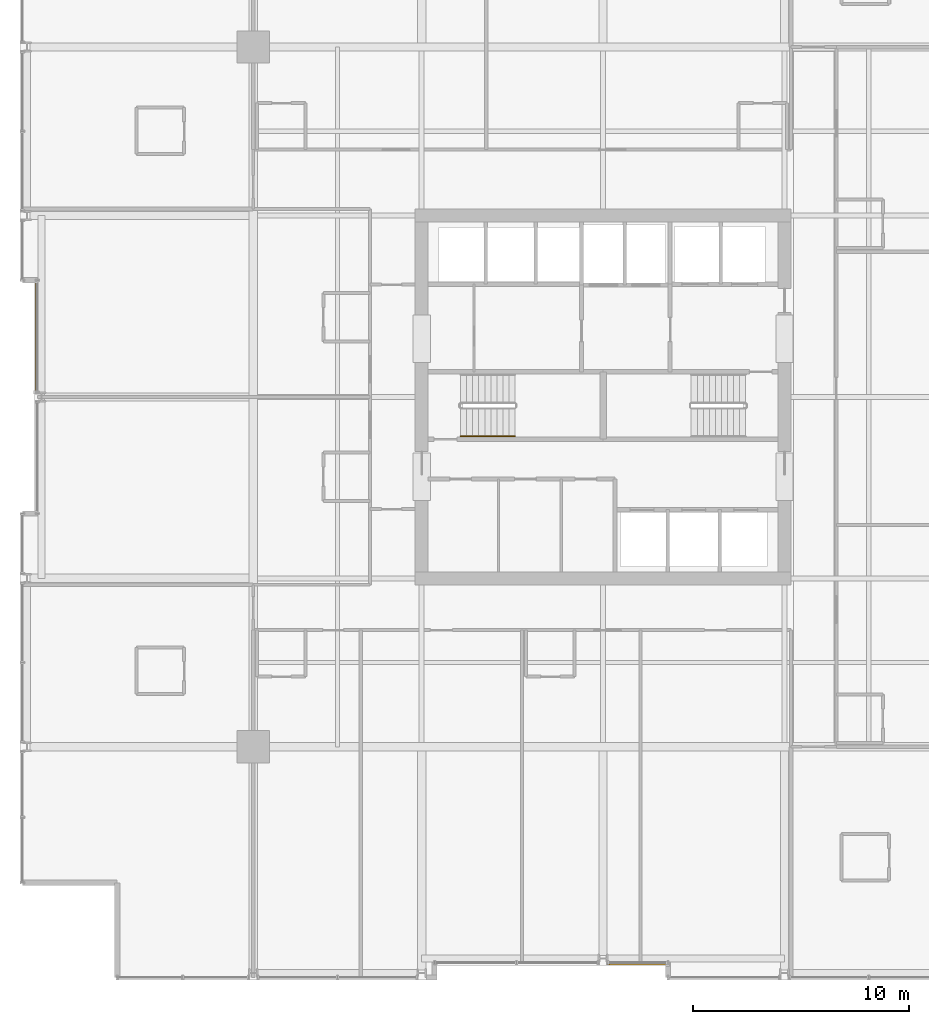
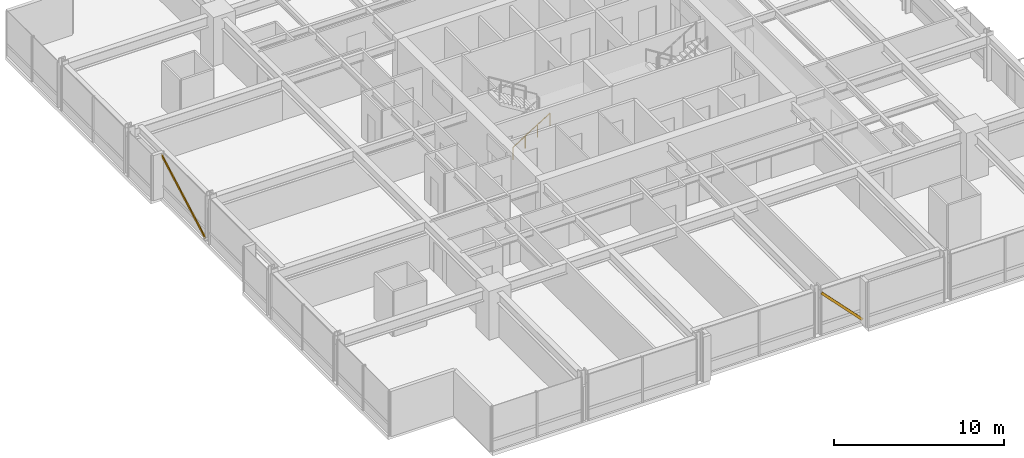
# One storey, part 32 of 34: 2 shading devices, 1 railing.
"""IFC4 building model written with IfcOpenShell, lengths in metres."""

from ifc_helpers import new_model, si_unit, direction, frame, origin, origin_2d, place, context, subcontext, project, spatial, hollow_rectangle, circle, extrude, material, material_profile, profile_set, type_object, element, save


model = new_model("IFC4")

# Units and contexts
model_context = context("Model", 3, precision=1e-05, world=origin(), true_north=direction((0.0, 1.0)))
body_context = subcontext(model_context, "Body", "Model", "MODEL_VIEW")
ifc_project = project(units=[si_unit("LENGTHUNIT", "METRE"), si_unit("AREAUNIT", "SQUARE_METRE"), si_unit("VOLUMEUNIT", "CUBIC_METRE"), si_unit("PLANEANGLEUNIT", "RADIAN"), si_unit("MASSUNIT", "GRAM", prefix="KILO")], contexts=[model_context])

# Site, building, storey
site_placement = place(None, origin())
site = spatial("IfcSite", under=ifc_project, at=site_placement, CompositionType="ELEMENT")
building_placement = place(site_placement, origin())
building = spatial("IfcBuilding", under=site, at=building_placement, Name="Drelvath Grand Hotel", CompositionType="ELEMENT")
storey_placement = place(building_placement, frame((0.0, 0.0, 116.300048828125)))
storey = spatial("IfcBuildingStorey", under=building, at=storey_placement, Name="L29", CompositionType="ELEMENT", Elevation=116.300048828125)

# Railing
ifc_material_1 = material(Name="Painted Steel S275", Category="steel")
railing_type = type_object("IfcRailingType", Name="Core Stair Wall Handrail 900", PredefinedType="HANDRAIL", material=ifc_material_1)
railing_placement = place(storey_placement, frame((-6.60009765625, 25.169921875, 0.175048828125)))
element("IfcRailing", 1, at=railing_placement, inside=storey, type_object=railing_type, Name="L29 ST-1 stair handrail 1", PredefinedType="HANDRAIL", context=body_context, shape_type="SweptSolid", body=[
    extrude(circle(Radius=0.02392578125, at=origin_2d()), frame((0.0, 0.0, 0.8759765625), z_axis=(0.848007534815, 0.0, 0.529984170421), x_axis=(0.0, 1.0, 0.0)), (0.0, 0.0, 1.0), 2.9716796875),
    extrude(circle(Radius=0.02099609375, at=origin_2d()), origin(), (0.0, 0.0, 1.0), 0.851806640625),
    extrude(circle(Radius=0.02099609375, at=origin_2d()), frame((0.840087890625, 0.0, 0.52490234375)), (0.0, 0.0, 1.0), 0.851806640625),
    extrude(circle(Radius=0.02099609375, at=origin_2d()), frame((1.679931640625, 0.0, 1.050048828125)), (0.0, 0.0, 1.0), 0.851806640625),
    extrude(circle(Radius=0.02099609375, at=origin_2d()), frame((2.52001953125, 0.0, 1.574951171875)), (0.0, 0.0, 1.0), 0.851806640625),
])

# Shading devices
ifc_material_2 = material(Name="Champagne Bronze Anodised Aluminium", Category="aluminium")
ifc_material_profile = material_profile(ifc_material_2, hollow_rectangle(XDim=0.06494140625, YDim=0.159912109375, WallThickness=0.00390625, at=origin_2d()), Name="HSS160X65X4")
ifc_profile_set = profile_set([ifc_material_profile], Name="Champagne Bronze Anodised Aluminium")
shading_device_type = type_object("IfcShadingDeviceType", Name="Diagonal Solar Fin Champagne Anodised HSS160X65X4", PredefinedType="USERDEFINED", material=ifc_profile_set)
shading_device_1_placement = place(storey_placement, frame((-26.280029296875, 27.219482421875, 0.179931640625), z_axis=(0.0, 0.8740056863, 0.4859156926), x_axis=(-1.0, 0.0, 0.0)))
element("IfcShadingDevice", 2, at=shading_device_1_placement, inside=storey, type_object=shading_device_type, Name="L29 Diagonal Anodised Fin CW03-L29-WM2", ObjectType="FIN", PredefinedType="USERDEFINED", context=body_context, shape_type="SweptSolid", body=[
    extrude(hollow_rectangle(XDim=0.06494140625, YDim=0.159912109375, WallThickness=0.00390625, at=origin_2d()), origin(), (0.0, 0.0, 1.0), 5.92724609375),
])
shading_device_2_placement = place(storey_placement, frame((3.0, 0.719970703125, 0.179931640625), z_axis=(-0.694556420652, 0.0, 0.719438238163), x_axis=(0.0, -1.0, 0.0)))
element("IfcShadingDevice", 3, at=shading_device_2_placement, inside=storey, type_object=shading_device_type, Name="L29 Diagonal Anodised Fin CW03-L29-SM2", ObjectType="FIN", PredefinedType="USERDEFINED", context=body_context, shape_type="SweptSolid", body=[
    extrude(hollow_rectangle(XDim=0.06494140625, YDim=0.159912109375, WallThickness=0.00390625, at=origin_2d()), origin(), (0.0, 0.0, 1.0), 4.00341796875),
])

save(model, "model.ifc")
